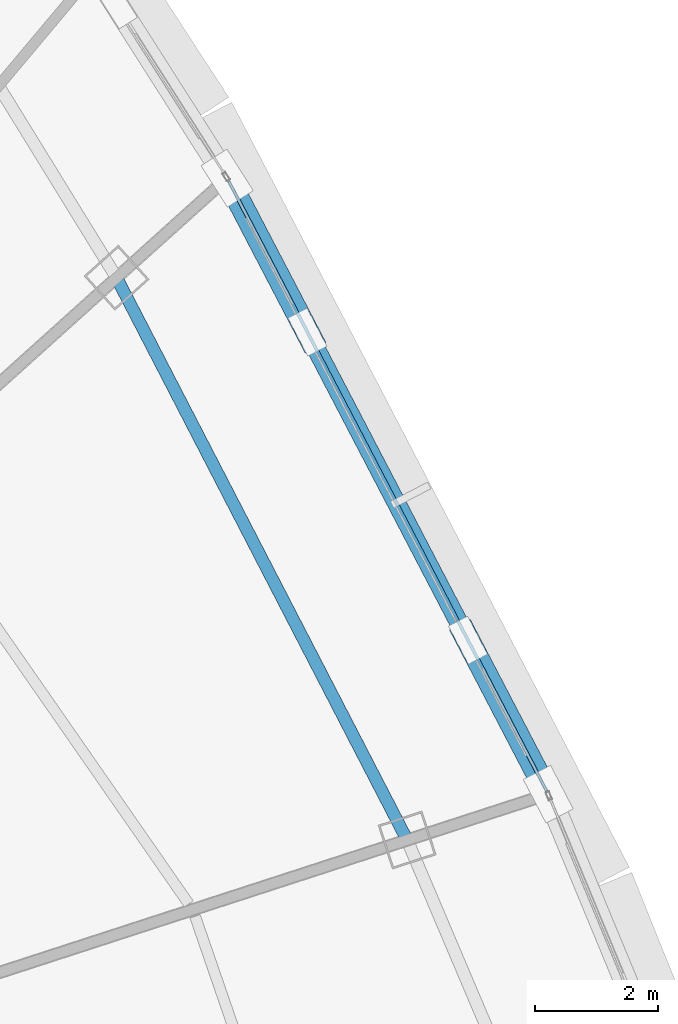
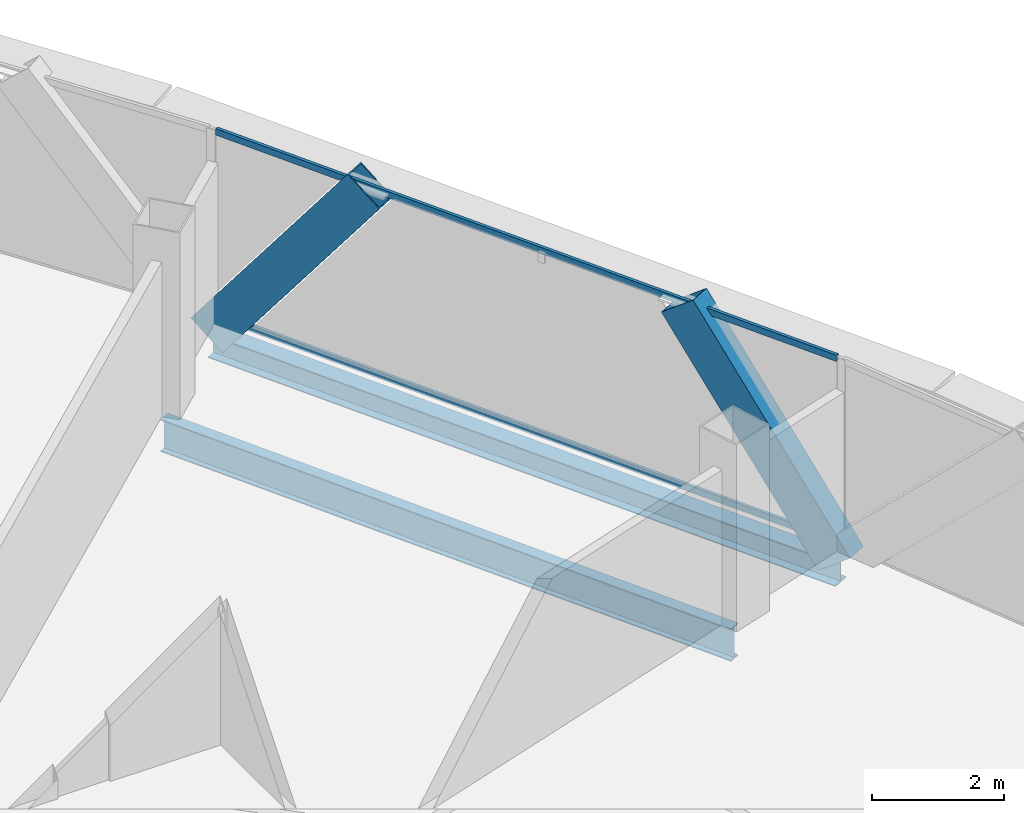
# One storey, part 19 of 40: 4 members, 2 beams, 1 element without a shape of its own.
"""IFC4 building model written with IfcOpenShell, lengths in metres."""

from ifc_helpers import new_model, si_unit, direction, frame, origin, origin_2d, place, context, subcontext, project, spatial, hollow_rectangle, i_section, extrude, source, transform, mapped, material, layer, layer_set, material_profile, profile_set, type_object, element, aggregate, save


model = new_model("IFC4")

# Units and contexts
model_context = context("Model", 3, precision=1e-05, world=origin(), true_north=direction((0.0, 1.0)))
body_context = subcontext(model_context, "Body", "Model", "MODEL_VIEW")
ifc_project = project(units=[si_unit("LENGTHUNIT", "METRE"), si_unit("AREAUNIT", "SQUARE_METRE"), si_unit("VOLUMEUNIT", "CUBIC_METRE"), si_unit("PLANEANGLEUNIT", "RADIAN"), si_unit("MASSUNIT", "GRAM", prefix="KILO"), si_unit("THERMODYNAMICTEMPERATUREUNIT", "KELVIN"), si_unit("POWERUNIT", "WATT")], contexts=[model_context])

# Site, building, storey
site_placement = place(None, origin())
site = spatial("IfcSite", under=ifc_project, at=site_placement, CompositionType="ELEMENT")
building_placement = place(site_placement, origin())
building = spatial("IfcBuilding", under=site, at=building_placement, Name="Yunzhuo Pagoda Commons", CompositionType="ELEMENT")
storey_placement = place(building_placement, frame((0.0, 0.0, 288.75)))
storey = spatial("IfcBuildingStorey", under=building, at=storey_placement, Name="L72", CompositionType="ELEMENT", Elevation=288.75)

# Beams
ifc_material_1 = material(Name="Structural steel Q355B", Category="steel")
ifc_material_profile_1 = material_profile(ifc_material_1, i_section(OverallWidth=0.199951171875, OverallDepth=0.60009765625, WebThickness=0.010986328125, FlangeThickness=0.01708984375, at=origin_2d()), Name="Structural steel Q355B")
ifc_profile_set_1 = profile_set([ifc_material_profile_1], Name="Structural steel Q355B")
beam_type_1 = type_object("IfcBeamType", Name="B-RG3 Beam HN 600x200x11x17", PredefinedType="BEAM", material=ifc_profile_set_1)
shared_shape_1 = source(origin(), body_context, "Body", "SweptSolid", [
    extrude(i_section(OverallWidth=0.199951171875, OverallDepth=0.60009765625, WebThickness=0.010986328125, FlangeThickness=0.01708984375, at=origin_2d()), origin(), (0.0, 0.0, 1.0), 10.3017578125),
])
beam_1_placement = place(storey_placement, frame((71.302490234375, 41.271484375, -0.56005859375), z_axis=(-0.459070867827, 0.888399650108, 0.0), x_axis=(-0.888399650108, -0.459070867827, 0.0)))
element("IfcBeam", 1, at=beam_1_placement, inside=storey, type_object=beam_type_1, Name="L72 column-ring beam 6", PredefinedType="BEAM", context=body_context, shape_type="MappedRepresentation", body=[
    mapped(shared_shape_1, transform((0.0, 0.0, 0.0), scale=1.0)),
])
ifc_material_profile_2 = material_profile(ifc_material_1, i_section(OverallWidth=0.300048828125, OverallDepth=0.43994140625, WebThickness=0.010986328125, FlangeThickness=0.01806640625, at=origin_2d()), Name="Structural steel Q355B")
ifc_profile_set_2 = profile_set([ifc_material_profile_2], Name="Structural steel Q355B")
beam_type_2 = type_object("IfcBeamType", Name="B-SP2 Beam HM 440x300x11x18", PredefinedType="BEAM", material=ifc_profile_set_2)
shared_shape_2 = source(origin(), body_context, "Body", "SweptSolid", [
    extrude(i_section(OverallWidth=0.300048828125, OverallDepth=0.43994140625, WebThickness=0.010986328125, FlangeThickness=0.01806640625, at=origin_2d()), origin(), (0.0, 0.0, 1.0), 11.306640625),
])
beam_2_placement = place(storey_placement, frame((73.59912109375, 42.017578125, -0.479736328125), z_axis=(-0.462239065904, 0.886755347293, 0.0), x_axis=(-0.886755347293, -0.462239065904, 0.0)))
element("IfcBeam", 2, at=beam_2_placement, inside=storey, type_object=beam_type_2, Name="L72 facade edge spandrel beam F2.2", PredefinedType="BEAM", context=body_context, shape_type="MappedRepresentation", body=[
    mapped(shared_shape_2, transform((0.0, 0.0, 0.0), scale=1.0)),
])

# Members
ifc_material_profile_3 = material_profile(ifc_material_1, hollow_rectangle(XDim=0.3798828125, YDim=0.719970703125, WallThickness=0.02001953125, at=origin_2d()), Name="Structural steel Q355B")
ifc_profile_set_3 = profile_set([ifc_material_profile_3], Name="Structural steel Q355B")
member_type_1 = type_object("IfcMemberType", Name="M-DL3 Brace BOX 720x380x20", PredefinedType="BRACE", material=ifc_profile_set_3)
shared_shape_3 = source(origin(), body_context, "Body", "SweptSolid", [
    extrude(hollow_rectangle(XDim=0.3798828125, YDim=0.719970703125, WallThickness=0.02001953125, at=origin_2d()), origin(), (0.0, 0.0, 1.0), 4.679931640625),
])
member_1_placement = place(storey_placement, frame((73.59912109375, 42.017578125, -0.260009765625), z_axis=(-0.279144366279, 0.535596189232, 0.797003854981), x_axis=(-0.886786511583, -0.462179275687, 0.0)))
element("IfcMember", 3, at=member_1_placement, inside=storey, type_object=member_type_1, Name="L72 facade diamond brace F2.2L", PredefinedType="BRACE", context=body_context, shape_type="MappedRepresentation", body=[
    mapped(shared_shape_3, transform((0.0, 0.0, 0.0), scale=1.0)),
])
shared_shape_4 = source(origin(), body_context, "Body", "SweptSolid", [
    extrude(hollow_rectangle(XDim=0.3798828125, YDim=0.719970703125, WallThickness=0.02001953125, at=origin_2d()), origin(), (0.0, 0.0, 1.0), 4.6796875),
])
member_2_placement = place(storey_placement, frame((68.372802734375, 52.043701171875, -0.260009765625), z_axis=(0.279159964833, -0.535521778922, 0.797048391463), x_axis=(0.886749603095, 0.462250085354, 0.0)))
element("IfcMember", 4, at=member_2_placement, inside=storey, type_object=member_type_1, Name="L72 facade diamond brace F2.2R", PredefinedType="BRACE", context=body_context, shape_type="MappedRepresentation", body=[
    mapped(shared_shape_4, transform((0.0, 0.0, 0.0), scale=1.0)),
])

# Curtain wall, members
ifc_material_2 = material(Name="Anodized aluminium 6063-T6", Category="aluminium")
ifc_layer = layer(ifc_material_2, 0.139892578125)
ifc_layer_set = layer_set([ifc_layer], Name="Anodized aluminium 6063-T6")
curtain_wall_type = type_object("IfcCurtainWallType", Name="CW-HI High-Zone Ribbon Curtain Wall", PredefinedType="NOTDEFINED", material=ifc_layer_set)
curtain_wall_placement = place(storey_placement, origin())
curtain_wall = element("IfcCurtainWall", 5, at=curtain_wall_placement, inside=storey, type_object=curtain_wall_type, Name="L72 curtain wall CW-L72-F2B3", PredefinedType="NOTDEFINED")
ifc_material_profile_4 = material_profile(ifc_material_2, hollow_rectangle(XDim=0.054931640625, YDim=0.1201171875, WallThickness=0.00341796875, at=origin_2d()), Name="Anodized aluminium 6063-T6")
ifc_profile_set_4 = profile_set([ifc_material_profile_4], Name="Anodized aluminium 6063-T6")
member_type_2 = type_object("IfcMemberType", Name="CW-HI-T Transom RHS 120x55x3.5", PredefinedType="USERDEFINED", material=ifc_profile_set_4)
shared_shape_5 = source(origin(), body_context, "Body", "SweptSolid", [
    extrude(hollow_rectangle(XDim=0.054931640625, YDim=0.1201171875, WallThickness=0.00341796875, at=origin_2d()), origin(), (0.0, 0.0, 1.0), 11.1865234375),
])
member_3_placement = place(storey_placement, frame((73.5712890625, 42.07080078125, 0.027587890625), z_axis=(-0.462217657155, 0.886766506705, 0.0), x_axis=(-0.886766506705, -0.462217657155, 0.0)))
member_3 = element("IfcMember", 6, at=member_3_placement, type_object=member_type_2, Name="CW transom 1.1", ObjectType="TRANSOM", PredefinedType="USERDEFINED", context=body_context, shape_type="MappedRepresentation", body=[
    mapped(shared_shape_5, transform((0.0, 0.0, 0.0), scale=1.0)),
])
member_4_placement = place(storey_placement, frame((73.5712890625, 42.07080078125, 3.4423828125), z_axis=(-0.462217657155, 0.886766506705, 0.0), x_axis=(-0.886766506705, -0.462217657155, 0.0)))
member_4 = element("IfcMember", 7, at=member_4_placement, type_object=member_type_2, Name="CW transom 1.2", ObjectType="TRANSOM", PredefinedType="USERDEFINED", context=body_context, shape_type="MappedRepresentation", body=[
    mapped(shared_shape_5, transform((0.0, 0.0, 0.0), scale=1.0)),
])
aggregate(curtain_wall, [member_3, member_4])

save(model, "model.ifc")
